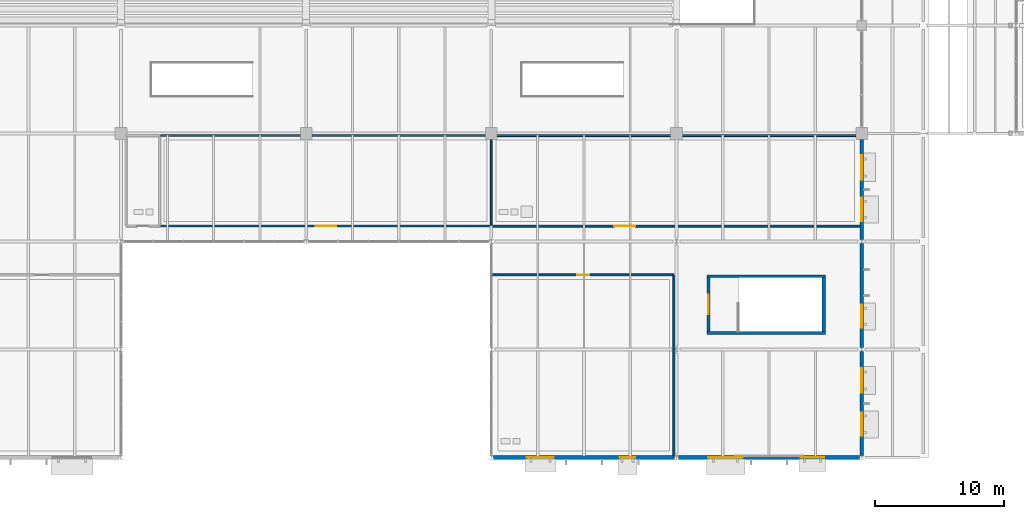
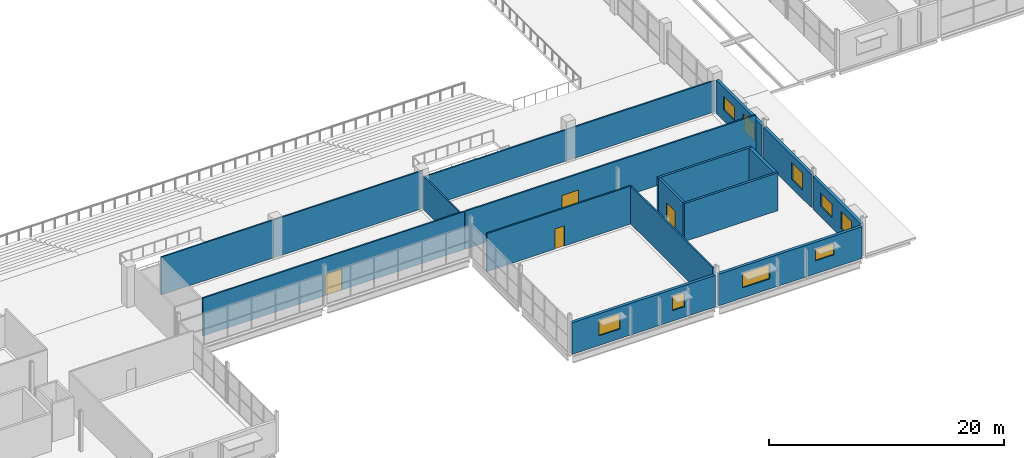
# One storey, part 136 of 161: 16 walls, 9 windows, 4 doors, 13 openings.
"""IFC4 building model written with IfcOpenShell, lengths in metres."""

from ifc_helpers import new_model, si_unit, direction, frame, frame_2d, origin, place, context, subcontext, project, spatial, rectangle, extrude, material, layer, layer_set, type_object, element, fill, save


model = new_model("IFC4")

# Units and contexts
model_context = context("Model", 3, precision=1e-05, world=origin(), true_north=direction((0.0, 1.0)))
body_context = subcontext(model_context, "Body", "Model", "MODEL_VIEW")
ifc_project = project(units=[si_unit("LENGTHUNIT", "METRE"), si_unit("AREAUNIT", "SQUARE_METRE"), si_unit("VOLUMEUNIT", "CUBIC_METRE"), si_unit("PLANEANGLEUNIT", "RADIAN"), si_unit("MASSUNIT", "GRAM", prefix="KILO"), si_unit("THERMODYNAMICTEMPERATUREUNIT", "KELVIN")], contexts=[model_context])

# Site, building, storey
site_placement = place(None, origin())
site = spatial("IfcSite", under=ifc_project, at=site_placement, CompositionType="ELEMENT")
building_placement = place(site_placement, origin())
building = spatial("IfcBuilding", under=site, at=building_placement, Name="Nduvali Passage Aquatics Centre", CompositionType="ELEMENT")
storey_placement = place(building_placement, frame((0.0, 0.0, 4.800048828125)))
storey = spatial("IfcBuildingStorey", under=building, at=storey_placement, Name="L01", CompositionType="ELEMENT", Elevation=4.800048828125)

# Wall, openings, windows
ifc_material_1 = material(Name="Coral-stone masonry blockwork", Category="masonry")
ifc_layer_1 = layer(ifc_material_1, 0.280029296875, Name="Coral-stone masonry blockwork")
ifc_layer_set_1 = layer_set([ifc_layer_1], Name="Coral-stone masonry blockwork")
wall_type_1 = type_object("IfcWallType", Name="ENV-WAL-CORAL280", PredefinedType="STANDARD", material=ifc_layer_set_1)
wall_1_placement = place(storey_placement, frame((97.35009765625, 0.0, 0.0), z_axis=(0.0, 0.0, 1.0), x_axis=(1.0, 0.0, 0.0)))
wall_1 = element("IfcWall", 1, at=wall_1_placement, inside=storey, type_object=wall_type_1, Name="L01 South Coral Facade 0013", PredefinedType="STANDARD", context=body_context, shape_type="SweptSolid", body=[
    extrude(rectangle(XDim=14.099853515625, YDim=0.280029296875, at=frame_2d((7.0498046875, 0.0))), origin(), (0.0, 0.0, 1.0), 3.29248046875),
])
opening_1_placement = place(wall_1_placement, frame((2.615966796875, 0.0, 1.0)))
opening_1 = element("IfcOpeningElement", 2, at=opening_1_placement, cuts=wall_1, Name="Opening W5", PredefinedType="OPENING", context=body_context, shape_type="SweptSolid", body=[
    extrude(rectangle(XDim=2.10009765625, YDim=1.60009765625, at=frame_2d((1.050048828125, 0.800048828125))), frame((0.0, 0.15478515625, 0.0), z_axis=(0.0, -1.0, 0.0), x_axis=(1.0, 0.0, 0.0)), (0.0, 0.0, 1.0), 0.309814453125),
])
opening_2_placement = place(wall_1_placement, frame((9.833984375, 0.0, 1.10009765625)))
opening_2 = element("IfcOpeningElement", 3, at=opening_2_placement, cuts=wall_1, Name="Opening W6", PredefinedType="OPENING", context=body_context, shape_type="SweptSolid", body=[
    extrude(rectangle(XDim=1.199951171875, YDim=1.5, at=frame_2d((0.60009765625, 0.75))), frame((0.0, 0.15478515625, 0.0), z_axis=(0.0, -1.0, 0.0), x_axis=(1.0, 0.0, 0.0)), (0.0, 0.0, 1.0), 0.309814453125),
])
ifc_material_2 = material(Name="Aluminium-framed solar-control low-E IGU", Category="aluminium")
window_type_1 = type_object("IfcWindowType", Name="ENV-WIN-W5", PartitioningType="SINGLE_PANEL", PredefinedType="WINDOW", material=ifc_material_2)
window_1_placement = place(opening_1_placement, origin())
window_1 = element("IfcWindow", 4, at=window_1_placement, inside=storey, type_object=window_type_1, Name="L01 Exterior Window W5-0020", OverallHeight=1.60009765625, OverallWidth=2.10009765625, PartitioningType="SINGLE_PANEL", PredefinedType="WINDOW", context=body_context, shape_type="SweptSolid", body=[
    extrude(rectangle(XDim=2.10009765625, YDim=1.60009765625, at=frame_2d((1.050048828125, 0.800048828125))), frame((0.0, 0.030029296875, 0.0), z_axis=(0.0, -1.0, 0.0), x_axis=(1.0, 0.0, 0.0)), (0.0, 0.0, 1.0), 0.06005859375),
])
fill(opening_1, window_1)
window_type_2 = type_object("IfcWindowType", Name="ENV-WIN-W6", PartitioningType="SINGLE_PANEL", PredefinedType="WINDOW", material=ifc_material_2)
window_2_placement = place(opening_2_placement, origin())
window_2 = element("IfcWindow", 5, at=window_2_placement, inside=storey, type_object=window_type_2, Name="L01 Exterior Window W6-0021", OverallHeight=1.5, OverallWidth=1.199951171875, PartitioningType="SINGLE_PANEL", PredefinedType="WINDOW", context=body_context, shape_type="SweptSolid", body=[
    extrude(rectangle(XDim=1.199951171875, YDim=1.5, at=frame_2d((0.60009765625, 0.75))), frame((0.0, 0.030029296875, 0.0), z_axis=(0.0, -1.0, 0.0), x_axis=(1.0, 0.0, 0.0)), (0.0, 0.0, 1.0), 0.06005859375),
])
fill(opening_2, window_2)

wall_2_placement = place(storey_placement, frame((111.75, 0.0, 0.0), z_axis=(0.0, 0.0, 1.0), x_axis=(1.0, 0.0, 0.0)))
wall_2 = element("IfcWall", 6, at=wall_2_placement, inside=storey, type_object=wall_type_1, Name="L01 South Coral Facade 0014", PredefinedType="STANDARD", context=body_context, shape_type="SweptSolid", body=[
    extrude(rectangle(XDim=14.10009765625, YDim=0.280029296875, at=frame_2d((7.050048828125, 0.0))), origin(), (0.0, 0.0, 1.0), 3.29248046875),
])
opening_3_placement = place(wall_2_placement, frame((2.31591796875, 0.0, 1.050048828125)))
opening_3 = element("IfcOpeningElement", 7, at=opening_3_placement, cuts=wall_2, Name="Opening W7", PredefinedType="OPENING", context=body_context, shape_type="SweptSolid", body=[
    extrude(rectangle(XDim=2.699951171875, YDim=1.5, at=frame_2d((1.35009765625, 0.75))), frame((0.0, 0.15478515625, 0.0), z_axis=(0.0, -1.0, 0.0), x_axis=(1.0, 0.0, 0.0)), (0.0, 0.0, 1.0), 0.309814453125),
])
opening_4_placement = place(wall_2_placement, frame((9.533935546875, 0.0, 1.35009765625)))
opening_4 = element("IfcOpeningElement", 8, at=opening_4_placement, cuts=wall_2, Name="Opening W8", PredefinedType="OPENING", context=body_context, shape_type="SweptSolid", body=[
    extrude(rectangle(XDim=1.800048828125, YDim=1.199951171875, at=frame_2d((0.89990234375, 0.60009765625))), frame((0.0, 0.15478515625, 0.0), z_axis=(0.0, -1.0, 0.0), x_axis=(1.0, 0.0, 0.0)), (0.0, 0.0, 1.0), 0.309814453125),
])
window_type_3 = type_object("IfcWindowType", Name="ENV-WIN-W7", PartitioningType="SINGLE_PANEL", PredefinedType="WINDOW", material=ifc_material_2)
window_3_placement = place(opening_3_placement, origin())
window_3 = element("IfcWindow", 9, at=window_3_placement, inside=storey, type_object=window_type_3, Name="L01 Exterior Window W7-0022", OverallHeight=1.5, OverallWidth=2.699951171875, PartitioningType="SINGLE_PANEL", PredefinedType="WINDOW", context=body_context, shape_type="SweptSolid", body=[
    extrude(rectangle(XDim=2.699951171875, YDim=1.5, at=frame_2d((1.35009765625, 0.75))), frame((0.0, 0.030029296875, 0.0), z_axis=(0.0, -1.0, 0.0), x_axis=(1.0, 0.0, 0.0)), (0.0, 0.0, 1.0), 0.06005859375),
])
fill(opening_3, window_3)
window_type_4 = type_object("IfcWindowType", Name="ENV-WIN-W8", PartitioningType="SINGLE_PANEL", PredefinedType="WINDOW", material=ifc_material_2)
window_4_placement = place(opening_4_placement, origin())
window_4 = element("IfcWindow", 10, at=window_4_placement, inside=storey, type_object=window_type_4, Name="L01 Exterior Window W8-0023", OverallHeight=1.199951171875, OverallWidth=1.800048828125, PartitioningType="SINGLE_PANEL", PredefinedType="WINDOW", context=body_context, shape_type="SweptSolid", body=[
    extrude(rectangle(XDim=1.800048828125, YDim=1.199951171875, at=frame_2d((0.89990234375, 0.60009765625))), frame((0.0, 0.030029296875, 0.0), z_axis=(0.0, -1.0, 0.0), x_axis=(1.0, 0.0, 0.0)), (0.0, 0.0, 1.0), 0.06005859375),
])
fill(opening_4, window_4)

wall_3_placement = place(storey_placement, frame((126.0, 0.14990234375, 0.0), z_axis=(0.0, 0.0, 1.0), x_axis=(0.0, 1.0, 0.0)))
wall_3 = element("IfcWall", 11, at=wall_3_placement, inside=storey, type_object=wall_type_1, Name="L01 External Coral-Stone Wall 0016", PredefinedType="STANDARD", context=body_context, shape_type="SweptSolid", body=[
    extrude(rectangle(XDim=8.110107421875, YDim=0.280029296875, at=frame_2d((4.05517578125, 0.0))), origin(), (0.0, 0.0, 1.0), 3.436279296875),
])
opening_5_placement = place(wall_3_placement, frame((1.532958984375, 0.0, 0.89990234375)))
opening_5 = element("IfcOpeningElement", 12, at=opening_5_placement, cuts=wall_3, Name="Opening W2", PredefinedType="OPENING", context=body_context, shape_type="SweptSolid", body=[
    extrude(rectangle(XDim=1.800048828125, YDim=1.800048828125, at=frame_2d((0.89990234375, 0.89990234375))), frame((0.0, 0.15478515625, 0.0), z_axis=(0.0, -1.0, 0.0), x_axis=(1.0, 0.0, 0.0)), (0.0, 0.0, 1.0), 0.309814453125),
])
opening_6_placement = place(wall_3_placement, frame((4.888916015625, 0.0, 1.10009765625)))
opening_6 = element("IfcOpeningElement", 13, at=opening_6_placement, cuts=wall_3, Name="Opening W16", PredefinedType="OPENING", context=body_context, shape_type="SweptSolid", body=[
    extrude(rectangle(XDim=1.89990234375, YDim=1.39990234375, at=frame_2d((0.949951171875, 0.699951171875))), frame((0.0, 0.15478515625, 0.0), z_axis=(0.0, -1.0, 0.0), x_axis=(1.0, 0.0, 0.0)), (0.0, 0.0, 1.0), 0.309814453125),
])
window_type_5 = type_object("IfcWindowType", Name="ENV-WIN-W16", PartitioningType="SINGLE_PANEL", PredefinedType="WINDOW", material=ifc_material_2)
window_5_placement = place(opening_6_placement, origin())
window_5 = element("IfcWindow", 14, at=window_5_placement, inside=storey, type_object=window_type_5, Name="L01 Exterior Window W16-0027", OverallHeight=1.39990234375, OverallWidth=1.89990234375, PartitioningType="SINGLE_PANEL", PredefinedType="WINDOW", context=body_context, shape_type="SweptSolid", body=[
    extrude(rectangle(XDim=1.89990234375, YDim=1.39990234375, at=frame_2d((0.949951171875, 0.699951171875))), frame((0.0, 0.030029296875, 0.0), z_axis=(0.0, -1.0, 0.0), x_axis=(1.0, 0.0, 0.0)), (0.0, 0.0, 1.0), 0.06005859375),
])
fill(opening_6, window_5)
window_type_6 = type_object("IfcWindowType", Name="ENV-WIN-W2", PartitioningType="SINGLE_PANEL", PredefinedType="WINDOW", material=ifc_material_2)
window_6_placement = place(opening_5_placement, origin())
window_6 = element("IfcWindow", 15, at=window_6_placement, inside=storey, type_object=window_type_6, Name="L01 Exterior Window W2-0026", OverallHeight=1.800048828125, OverallWidth=1.800048828125, PartitioningType="SINGLE_PANEL", PredefinedType="WINDOW", context=body_context, shape_type="SweptSolid", body=[
    extrude(rectangle(XDim=1.800048828125, YDim=1.800048828125, at=frame_2d((0.89990234375, 0.89990234375))), frame((0.0, 0.030029296875, 0.0), z_axis=(0.0, -1.0, 0.0), x_axis=(1.0, 0.0, 0.0)), (0.0, 0.0, 1.0), 0.06005859375),
])
fill(opening_5, window_6)

# Wall, opening, window
wall_4_placement = place(storey_placement, frame((126.0, 8.5400390625, 0.0), z_axis=(0.0, 0.0, 1.0), x_axis=(0.0, 1.0, 0.0)))
wall_4 = element("IfcWall", 16, at=wall_4_placement, inside=storey, type_object=wall_type_1, Name="L01 External Coral-Stone Wall 0018", PredefinedType="STANDARD", context=body_context, shape_type="SweptSolid", body=[
    extrude(rectangle(XDim=8.10986328125, YDim=0.280029296875, at=frame_2d((4.054931640625, 0.0))), origin(), (0.0, 0.0, 1.0), 3.436279296875),
])
opening_7_placement = place(wall_4_placement, frame((1.532958984375, 0.0, 0.89990234375)))
opening_7 = element("IfcOpeningElement", 17, at=opening_7_placement, cuts=wall_4, Name="Opening W2", PredefinedType="OPENING", context=body_context, shape_type="SweptSolid", body=[
    extrude(rectangle(XDim=1.800048828125, YDim=1.800048828125, at=frame_2d((0.89990234375, 0.89990234375))), frame((0.0, 0.15478515625, 0.0), z_axis=(0.0, -1.0, 0.0), x_axis=(1.0, 0.0, 0.0)), (0.0, 0.0, 1.0), 0.309814453125),
])
window_7_placement = place(opening_7_placement, origin())
window_7 = element("IfcWindow", 18, at=window_7_placement, inside=storey, type_object=window_type_6, Name="L01 Exterior Window W2-0030", OverallHeight=1.800048828125, OverallWidth=1.800048828125, PartitioningType="SINGLE_PANEL", PredefinedType="WINDOW", context=body_context, shape_type="SweptSolid", body=[
    extrude(rectangle(XDim=1.800048828125, YDim=1.800048828125, at=frame_2d((0.89990234375, 0.89990234375))), frame((0.0, 0.030029296875, 0.0), z_axis=(0.0, -1.0, 0.0), x_axis=(1.0, 0.0, 0.0)), (0.0, 0.0, 1.0), 0.06005859375),
])
fill(opening_7, window_7)

# Wall, openings, windows
wall_5_placement = place(storey_placement, frame((126.0, 16.949951171875, 0.0), z_axis=(0.0, 0.0, 1.0), x_axis=(0.0, 1.0, 0.0)))
wall_5 = element("IfcWall", 19, at=wall_5_placement, inside=storey, type_object=wall_type_1, Name="L01 External Coral-Stone Wall 0020", PredefinedType="STANDARD", context=body_context, shape_type="SweptSolid", body=[
    extrude(rectangle(XDim=7.800048828125, YDim=0.280029296875, at=frame_2d((3.89990234375, 0.0))), origin(), (0.0, 0.0, 1.0), 3.436279296875),
])
opening_8_placement = place(wall_5_placement, frame((1.43994140625, 0.0, 0.89990234375)))
opening_8 = element("IfcOpeningElement", 20, at=opening_8_placement, cuts=wall_5, Name="Opening W2", PredefinedType="OPENING", context=body_context, shape_type="SweptSolid", body=[
    extrude(rectangle(XDim=1.800048828125, YDim=1.800048828125, at=frame_2d((0.89990234375, 0.89990234375))), frame((0.0, 0.15478515625, 0.0), z_axis=(0.0, -1.0, 0.0), x_axis=(1.0, 0.0, 0.0)), (0.0, 0.0, 1.0), 0.309814453125),
])
opening_9_placement = place(wall_5_placement, frame((4.666015625, 0.0, 1.10009765625)))
opening_9 = element("IfcOpeningElement", 21, at=opening_9_placement, cuts=wall_5, Name="Opening W16", PredefinedType="OPENING", context=body_context, shape_type="SweptSolid", body=[
    extrude(rectangle(XDim=1.89990234375, YDim=1.39990234375, at=frame_2d((0.949951171875, 0.699951171875))), frame((0.0, 0.15478515625, 0.0), z_axis=(0.0, -1.0, 0.0), x_axis=(1.0, 0.0, 0.0)), (0.0, 0.0, 1.0), 0.309814453125),
])
window_8_placement = place(opening_9_placement, origin())
window_8 = element("IfcWindow", 22, at=window_8_placement, inside=storey, type_object=window_type_5, Name="L01 Exterior Window W16-0034", OverallHeight=1.39990234375, OverallWidth=1.89990234375, PartitioningType="SINGLE_PANEL", PredefinedType="WINDOW", context=body_context, shape_type="SweptSolid", body=[
    extrude(rectangle(XDim=1.89990234375, YDim=1.39990234375, at=frame_2d((0.949951171875, 0.699951171875))), frame((0.0, 0.030029296875, 0.0), z_axis=(0.0, -1.0, 0.0), x_axis=(1.0, 0.0, 0.0)), (0.0, 0.0, 1.0), 0.06005859375),
])
fill(opening_9, window_8)
window_9_placement = place(opening_8_placement, origin())
window_9 = element("IfcWindow", 23, at=window_9_placement, inside=storey, type_object=window_type_6, Name="L01 Exterior Window W2-0033", OverallHeight=1.800048828125, OverallWidth=1.800048828125, PartitioningType="SINGLE_PANEL", PredefinedType="WINDOW", context=body_context, shape_type="SweptSolid", body=[
    extrude(rectangle(XDim=1.800048828125, YDim=1.800048828125, at=frame_2d((0.89990234375, 0.89990234375))), frame((0.0, 0.030029296875, 0.0), z_axis=(0.0, -1.0, 0.0), x_axis=(1.0, 0.0, 0.0)), (0.0, 0.0, 1.0), 0.06005859375),
])
fill(opening_8, window_9)

# Walls
ifc_material_3 = material(Name="Concrete C40/50", Category="concrete")
ifc_layer_2 = layer(ifc_material_3, 0.219970703125, Name="Concrete C40/50")
ifc_layer_set_2 = layer_set([ifc_layer_2], Name="Concrete C40/50")
wall_type_2 = type_object("IfcWallType", Name="INT-WAL-CORE220", PredefinedType="SOLIDWALL", material=ifc_layer_set_2)
for number, where, z_axis, x_axis, name in (
    (24, (113.97998046875, 9.68994140625, 0.0), (0.0, 0.0, 1.0), (1.0, 0.0, 0.0), "L01 Stair ST6 Core Wall S"),
    (25, (123.199951171875, 14.10009765625, 0.0), (0.0, 0.0, 1.0), (-1.0, 0.0, 0.0), "L01 Stair ST6 Core Wall N"),
):
    element("IfcWall", number, at=place(storey_placement, frame(where, z_axis=z_axis, x_axis=x_axis)), inside=storey, type_object=wall_type_2, Name=name, PredefinedType="SOLIDWALL", context=body_context, shape_type="SweptSolid", body=[
        extrude(rectangle(XDim=9.219970703125, YDim=0.219970703125, at=frame_2d((4.60986328125, 0.0))), origin(), (0.0, 0.0, 1.0), 3.93994140625),
    ])

# Wall, opening, door
wall_6_placement = place(storey_placement, frame((114.090087890625, 13.989990234375, 0.0), z_axis=(0.0, 0.0, 1.0), x_axis=(0.0, -1.0, 0.0)))
wall_6 = element("IfcWall", 26, at=wall_6_placement, inside=storey, type_object=wall_type_2, Name="L01 Stair ST6 Core Wall W", PredefinedType="SOLIDWALL", context=body_context, shape_type="SweptSolid", body=[
    extrude(rectangle(XDim=4.18994140625, YDim=0.219970703125, at=frame_2d((2.094970703125, 0.0))), origin(), (0.0, 0.0, 1.0), 3.93994140625),
])
opening_10_placement = place(wall_6_placement, frame((1.344970703125, 0.0, 0.0)))
opening_10 = element("IfcOpeningElement", 27, at=opening_10_placement, cuts=wall_6, Name="Opening FD-ST1", PredefinedType="OPENING", context=body_context, shape_type="SweptSolid", body=[
    extrude(rectangle(XDim=1.5, YDim=2.199951171875, at=frame_2d((0.75, 1.10009765625))), frame((0.0, 0.125, 0.0), z_axis=(0.0, -1.0, 0.0), x_axis=(1.0, 0.0, 0.0)), (0.0, 0.0, 1.0), 0.249755859375),
])
ifc_material_4 = material(Name="Galvanised steel door", Category="steel")
door_type_1 = type_object("IfcDoorType", Name="INT-DR-ST150", OperationType="DOUBLE_DOOR_SINGLE_SWING", PredefinedType="DOOR", material=ifc_material_4)
door_1_placement = place(opening_10_placement, frame((1.5, 0.0, 0.0), z_axis=(0.0, 0.0, 1.0), x_axis=(-1.0, 0.0, 0.0)))
door_1 = element("IfcDoor", 28, at=door_1_placement, inside=storey, type_object=door_type_1, Name="L01 Stair ST6 Fire Lobby Door", OperationType="DOUBLE_DOOR_SINGLE_SWING", OverallHeight=2.199951171875, OverallWidth=1.5, PredefinedType="DOOR", context=body_context, shape_type="SweptSolid", body=[
    extrude(rectangle(XDim=1.5, YDim=2.199951171875, at=frame_2d((0.75, 1.10009765625))), frame((0.0, 0.02490234375, 0.0), z_axis=(0.0, -1.0, 0.0), x_axis=(1.0, 0.0, 0.0)), (0.0, 0.0, 1.0), 0.050048828125),
])
fill(opening_10, door_1)

ifc_material_5 = material(Name="Gypsum acoustic stud partition")
ifc_layer_3 = layer(ifc_material_5, 0.139892578125, Name="Gypsum acoustic stud partition")
ifc_layer_set_3 = layer_set([ifc_layer_3], Name="Gypsum acoustic stud partition")
wall_type_3 = type_object("IfcWallType", Name="INT-WAL-PART140", PredefinedType="PARTITIONING", material=ifc_layer_set_3)
wall_7_placement = place(storey_placement, frame((71.47509765625, 18.0, 0.0), z_axis=(0.0, 0.0, 1.0), x_axis=(1.0, 0.0, 0.0)))
wall_7 = element("IfcWall", 29, at=wall_7_placement, inside=storey, type_object=wall_type_3, Name="L01 Spectator Refreshment Kiosk and Pantry Partition 0129", PredefinedType="PARTITIONING", context=body_context, shape_type="SweptSolid", body=[
    extrude(rectangle(XDim=25.724853515625, YDim=0.139892578125, at=frame_2d((12.8623046875, 0.0))), origin(), (0.0, 0.0, 1.0), 3.93994140625),
])
opening_11_placement = place(wall_7_placement, frame((12.06298828125, 0.0, 0.0)))
opening_11 = element("IfcOpeningElement", 30, at=opening_11_placement, cuts=wall_7, Name="Opening ID4", PredefinedType="OPENING", context=body_context, shape_type="SweptSolid", body=[
    extrude(rectangle(XDim=1.60009765625, YDim=2.199951171875, at=frame_2d((0.800048828125, 1.10009765625))), frame((0.0, 0.0849609375, 0.0), z_axis=(0.0, -1.0, 0.0), x_axis=(1.0, 0.0, 0.0)), (0.0, 0.0, 1.0), 0.169677734375),
])
ifc_material_6 = material(Name="Aluminium-framed glazed door", Category="aluminium")
door_type_2 = type_object("IfcDoorType", Name="INT-DR-DBL160", OperationType="DOUBLE_DOOR_SINGLE_SWING", PredefinedType="DOOR", material=ifc_material_6)
door_2_placement = place(opening_11_placement, origin())
door_2 = element("IfcDoor", 31, at=door_2_placement, inside=storey, type_object=door_type_2, Name="L01 Spectator Refreshment Kiosk and Pantry Door 0042", OperationType="DOUBLE_DOOR_SINGLE_SWING", OverallHeight=2.199951171875, OverallWidth=1.60009765625, PredefinedType="DOOR", context=body_context, shape_type="SweptSolid", body=[
    extrude(rectangle(XDim=1.60009765625, YDim=2.199951171875, at=frame_2d((0.800048828125, 1.10009765625))), frame((0.0, 0.02490234375, 0.0), z_axis=(0.0, -1.0, 0.0), x_axis=(1.0, 0.0, 0.0)), (0.0, 0.0, 1.0), 0.050048828125),
])
fill(opening_11, door_2)

# Walls
wall_8_placement = place(storey_placement, frame((71.47509765625, 25.0400390625, 0.0), z_axis=(0.0, 0.0, 1.0), x_axis=(1.0, 0.0, 0.0)))
element("IfcWall", 32, at=wall_8_placement, inside=storey, type_object=wall_type_3, Name="L01 Spectator Refreshment Kiosk and Pantry Partition 0130", PredefinedType="PARTITIONING", context=body_context, shape_type="SweptSolid", body=[
    extrude(rectangle(XDim=25.724853515625, YDim=0.139892578125, at=frame_2d((12.8623046875, 0.0))), origin(), (0.0, 0.0, 1.0), 3.93994140625),
])
wall_9_placement = place(storey_placement, frame((97.199951171875, 18.070068359375, 0.0), z_axis=(0.0, 0.0, 1.0), x_axis=(0.0, 1.0, 0.0)))
element("IfcWall", 33, at=wall_9_placement, inside=storey, type_object=wall_type_3, Name="L01 Spectator Refreshment Kiosk and Pantry Partition 0131", PredefinedType="PARTITIONING", context=body_context, shape_type="SweptSolid", body=[
    extrude(rectangle(XDim=6.89990234375, YDim=0.139892578125, at=frame_2d((3.449951171875, 0.0))), origin(), (0.0, 0.0, 1.0), 3.436279296875),
])

# Wall, opening, door
ifc_layer_4 = layer(ifc_material_1, 0.14990234375, Name="Coral-stone masonry blockwork")
ifc_layer_set_4 = layer_set([ifc_layer_4], Name="Coral-stone masonry blockwork")
wall_type_4 = type_object("IfcWallType", Name="INT-WAL-WET150", PredefinedType="PLUMBINGWALL", material=ifc_layer_set_4)
wall_10_placement = place(storey_placement, frame((97.27001953125, 18.0, 0.0), z_axis=(0.0, 0.0, 1.0), x_axis=(1.0, 0.0, 0.0)))
wall_10 = element("IfcWall", 34, at=wall_10_placement, inside=storey, type_object=wall_type_4, Name="L01 Referees and Technical Officials Changing Suite Partition 0132", PredefinedType="PLUMBINGWALL", context=body_context, shape_type="SweptSolid", body=[
    extrude(rectangle(XDim=28.590087890625, YDim=0.14990234375, at=frame_2d((14.294921875, 0.0))), origin(), (0.0, 0.0, 1.0), 3.93994140625),
])
opening_12_placement = place(wall_10_placement, frame((9.488037109375, 0.0, 0.0)))
opening_12 = element("IfcOpeningElement", 35, at=opening_12_placement, cuts=wall_10, Name="Opening SD1", PredefinedType="OPENING", context=body_context, shape_type="SweptSolid", body=[
    extrude(rectangle(XDim=1.64990234375, YDim=2.25, at=frame_2d((0.824951171875, 1.125))), frame((0.0, 0.08984375, 0.0), z_axis=(0.0, -1.0, 0.0), x_axis=(1.0, 0.0, 0.0)), (0.0, 0.0, 1.0), 0.1796875),
])
door_type_3 = type_object("IfcDoorType", Name="INT-DR-SLD160", OperationType="DOUBLE_DOOR_SLIDING", PredefinedType="DOOR", material=ifc_material_6)
door_3_placement = place(opening_12_placement, frame((1.64990234375, 0.0, 0.0), z_axis=(0.0, 0.0, 1.0), x_axis=(-1.0, 0.0, 0.0)))
door_3 = element("IfcDoor", 36, at=door_3_placement, inside=storey, type_object=door_type_3, Name="L01 Referees and Technical Officials Changing Suite Door 0043", OperationType="DOUBLE_DOOR_SLIDING", OverallHeight=2.25, OverallWidth=1.64990234375, PredefinedType="DOOR", context=body_context, shape_type="SweptSolid", body=[
    extrude(rectangle(XDim=1.64990234375, YDim=2.25, at=frame_2d((0.824951171875, 1.125))), frame((0.0, 0.02490234375, 0.0), z_axis=(0.0, -1.0, 0.0), x_axis=(1.0, 0.0, 0.0)), (0.0, 0.0, 1.0), 0.050048828125),
])
fill(opening_12, door_3)

# Wall
wall_11_placement = place(storey_placement, frame((97.27001953125, 25.0400390625, 0.0), z_axis=(0.0, 0.0, 1.0), x_axis=(1.0, 0.0, 0.0)))
element("IfcWall", 37, at=wall_11_placement, inside=storey, type_object=wall_type_4, Name="L01 Referees and Technical Officials Changing Suite Partition 0133", PredefinedType="PLUMBINGWALL", context=body_context, shape_type="SweptSolid", body=[
    extrude(rectangle(XDim=28.590087890625, YDim=0.14990234375, at=frame_2d((14.294921875, 0.0))), origin(), (0.0, 0.0, 1.0), 3.25244140625),
])

# Wall, opening, door
wall_12_placement = place(storey_placement, frame((97.219970703125, 14.199951171875, 0.0), z_axis=(0.0, 0.0, 1.0), x_axis=(1.0, 0.0, 0.0)))
wall_12 = element("IfcWall", 38, at=wall_12_placement, inside=storey, type_object=wall_type_4, Name="L01 South Spectator Public Toilets East Partition 0134", PredefinedType="PLUMBINGWALL", context=body_context, shape_type="SweptSolid", body=[
    extrude(rectangle(XDim=14.179931640625, YDim=0.14990234375, at=frame_2d((7.08984375, 0.0))), origin(), (0.0, 0.0, 1.0), 3.93994140625),
])
opening_13_placement = place(wall_12_placement, frame((6.659912109375, 0.0, 0.0)))
opening_13 = element("IfcOpeningElement", 39, at=opening_13_placement, cuts=wall_12, Name="Opening ID3", PredefinedType="OPENING", context=body_context, shape_type="SweptSolid", body=[
    extrude(rectangle(XDim=0.949951171875, YDim=2.10009765625, at=frame_2d((0.47509765625, 1.050048828125))), frame((0.0, 0.08984375, 0.0), z_axis=(0.0, -1.0, 0.0), x_axis=(1.0, 0.0, 0.0)), (0.0, 0.0, 1.0), 0.1796875),
])
ifc_material_7 = material(Name="Timber solid-core door", Category="wood")
door_type_4 = type_object("IfcDoorType", Name="INT-DR-WC95", OperationType="NOTDEFINED", PredefinedType="DOOR", material=ifc_material_7)
door_4_placement = place(opening_13_placement, origin())
door_4 = element("IfcDoor", 40, at=door_4_placement, inside=storey, type_object=door_type_4, Name="L01 South Spectator Public Toilets East Door 0044", OperationType="SINGLE_SWING_LEFT", OverallHeight=2.10009765625, OverallWidth=0.949951171875, PredefinedType="DOOR", context=body_context, shape_type="SweptSolid", body=[
    extrude(rectangle(XDim=0.949951171875, YDim=2.10009765625, at=frame_2d((0.47509765625, 1.050048828125))), frame((0.0, 0.02490234375, 0.0), z_axis=(0.0, -1.0, 0.0), x_axis=(1.0, 0.0, 0.0)), (0.0, 0.0, 1.0), 0.050048828125),
])
fill(opening_13, door_4)

# Walls
wall_13_placement = place(storey_placement, frame((111.39990234375, 0.139892578125, 0.0), z_axis=(0.0, 0.0, 1.0), x_axis=(0.0, 1.0, 0.0)))
element("IfcWall", 41, at=wall_13_placement, inside=storey, type_object=wall_type_4, Name="L01 South Spectator Public Toilets East Partition 0135", PredefinedType="PLUMBINGWALL", context=body_context, shape_type="SweptSolid", body=[
    extrude(rectangle(XDim=13.985107421875, YDim=0.14990234375, at=frame_2d((6.99267578125, 0.0))), origin(), (0.0, 0.0, 1.0), 3.93994140625),
])
ifc_layer_5 = layer(ifc_material_3, 0.300048828125, Name="Concrete C40/50")
ifc_layer_set_5 = layer_set([ifc_layer_5], Name="Concrete C40/50")
wall_type_5 = type_object("IfcWallType", Name="STR-WAL-SHR300", PredefinedType="SHEAR", material=ifc_layer_set_5)
wall_14_placement = place(storey_placement, frame((123.050048828125, 9.800048828125, 0.0), z_axis=(0.0, 0.0, 1.0), x_axis=(0.0, 1.0, 0.0)))
element("IfcWall", 42, at=wall_14_placement, inside=storey, type_object=wall_type_5, Name="L01 Stair ST6 Core Shear Wall E", PredefinedType="SHEAR", context=body_context, shape_type="SweptSolid", body=[
    extrude(rectangle(XDim=4.18994140625, YDim=0.300048828125, at=frame_2d((2.094970703125, 0.0))), origin(), (0.0, 0.0, 1.0), 3.93994140625),
])

save(model, "model.ifc")
